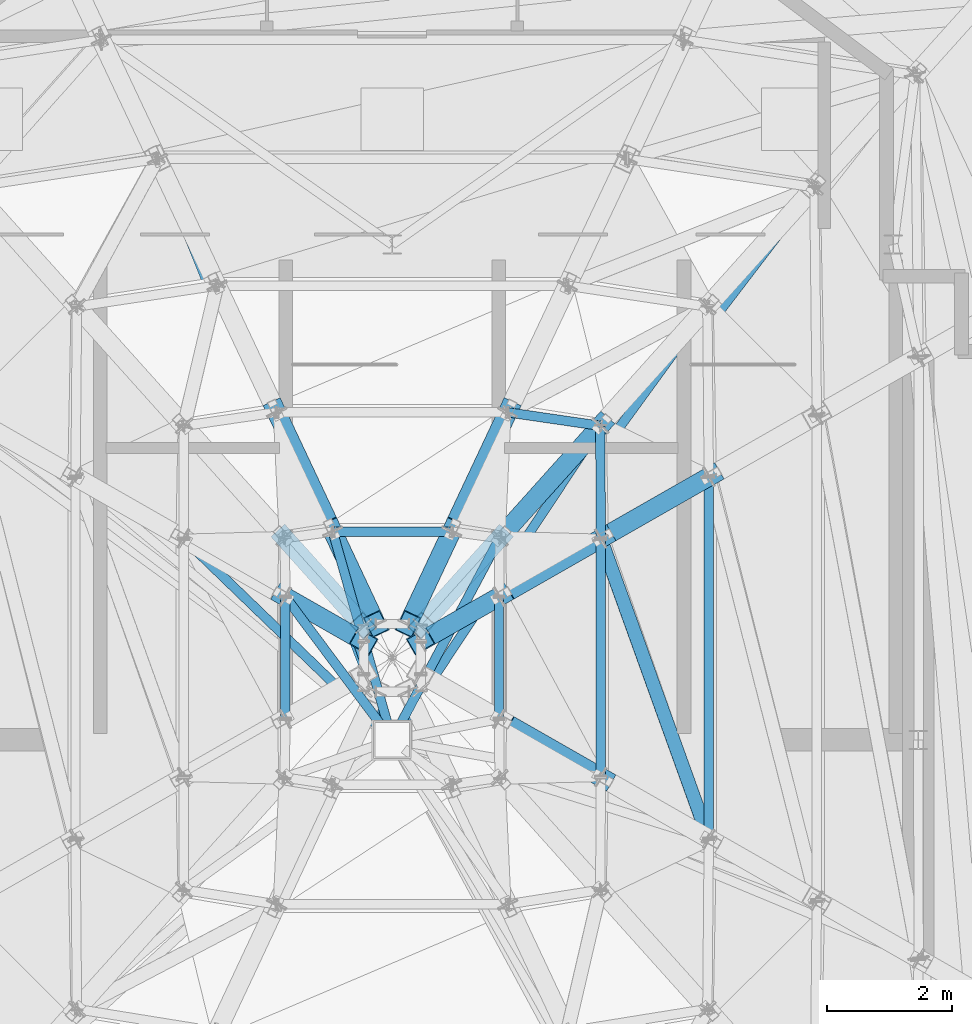
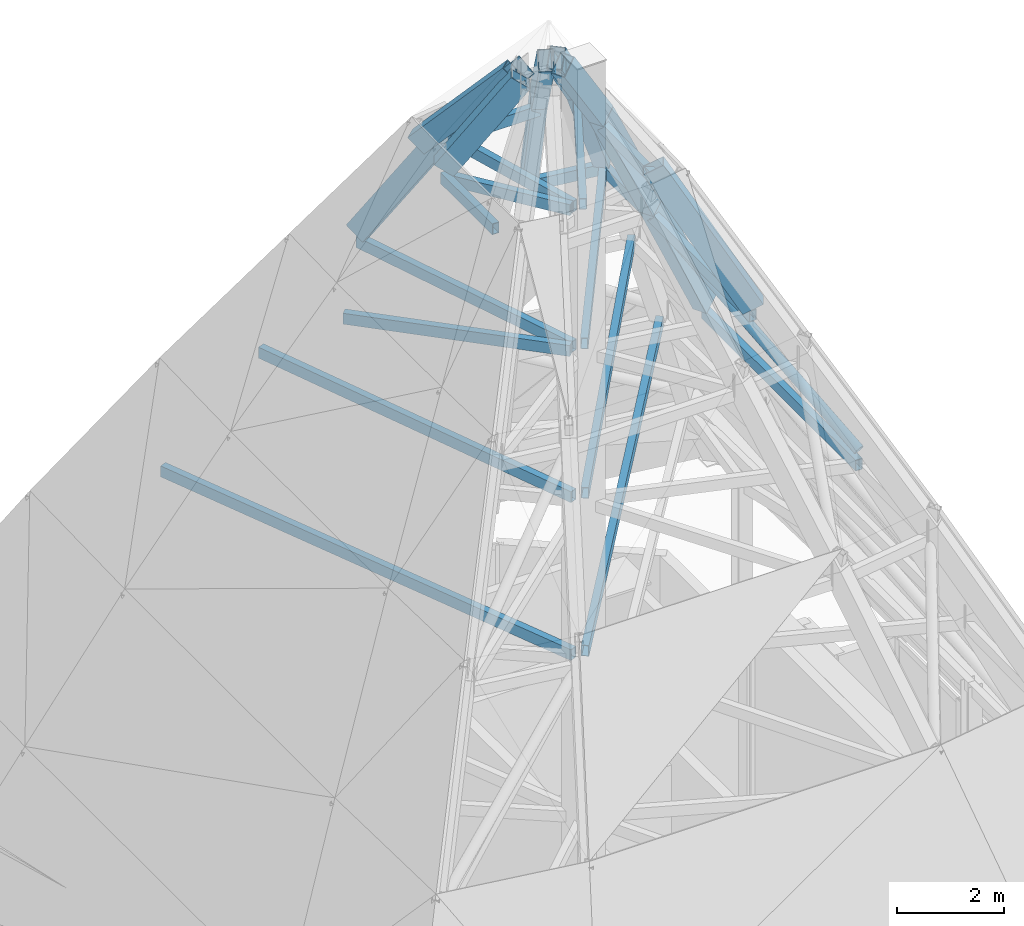
# One storey, part 6 of 30: 30 members.
"""IFC4 building model written with IfcOpenShell, lengths in metres."""

import ifcopenshell
import ifcopenshell.guid

model = None  # the IFC model being written
_history = None  # IfcOwnerHistory: only IFC2X3 demands one
_inside = {}  # id of a spatial element -> (the spatial element, [elements in it])
_under = {}  # id of a project, library or spatial element -> (it, [spatial elements below it])
_declared = {}  # id of a project -> (the project, [libraries it declares])
_typed = {}  # id of a type object -> (the type object, [elements of that type])
_made_of = {}  # id of a material, layer set ... -> (it, [elements and type objects made of it])


def new_model(schema):
    """Start an empty IFC model of exactly this schema.

    Asked for "IFC4X3", IfcOpenShell would pick the latest addendum, in which some entities
    have other attributes; the version numbers below select the first issue.
    IFC2X3 requires an IfcOwnerHistory on every rooted entity: one is made here for all.
    """
    global model, _history
    if schema == "IFC4X3":
        model = ifcopenshell.file(schema_version=(4, 3, 0, 0))
    else:
        model = ifcopenshell.file(schema=schema)
    _inside.clear()
    _under.clear()
    _declared.clear()
    _typed.clear()
    _made_of.clear()
    _history = None
    if model.schema == "IFC2X3":
        org = make("IfcOrganization", Name="unknown")
        user = make(
            "IfcPersonAndOrganization",
            ThePerson=make("IfcPerson", FamilyName="unknown"),
            TheOrganization=org,
        )
        app = make(
            "IfcApplication",
            ApplicationDeveloper=org,
            Version="unknown",
            ApplicationFullName="unknown",
            ApplicationIdentifier="unknown",
        )
        _history = make(
            "IfcOwnerHistory",
            OwningUser=user,
            OwningApplication=app,
            ChangeAction="ADDED",
            CreationDate=0,
        )
    return model


def make(cls, **values):
    """One entity of the class cls with the attributes given. An attribute that is None is left unset."""
    return model.create_entity(
        cls, **{name: value for name, value in values.items() if value is not None}
    )


def rooted(cls, **values):
    """An entity with a GlobalId (a new one), such as an element, a storey or a relation."""
    return make(cls, GlobalId=ifcopenshell.guid.new(), OwnerHistory=_history, **values)


def si_unit(unit_type, name, prefix=None):
    """IfcSIUnit, for example si_unit("LENGTHUNIT", "METRE", prefix="MILLI")."""
    return make("IfcSIUnit", UnitType=unit_type, Prefix=prefix, Name=name)


def assignment(units):
    """IfcUnitAssignment: the units of a project."""
    return None if units is None else make("IfcUnitAssignment", Units=units)


def point(xyz):
    """IfcCartesianPoint."""
    return None if xyz is None else make("IfcCartesianPoint", Coordinates=xyz)


def direction(xyz):
    """IfcDirection."""
    return None if xyz is None else make("IfcDirection", DirectionRatios=xyz)


def frame(location, z_axis=None, x_axis=None):
    """IfcAxis2Placement3D, a coordinate frame: its origin and axes. An axis left out is left unset."""
    return make(
        "IfcAxis2Placement3D",
        Location=point(location),
        Axis=direction(z_axis),
        RefDirection=direction(x_axis),
    )


def frame_2d(location, x_axis=None):
    """IfcAxis2Placement2D, a coordinate frame in the plane: its origin and x axis."""
    return make(
        "IfcAxis2Placement2D", Location=point(location), RefDirection=direction(x_axis)
    )


def origin():
    """The frame at (0, 0, 0) with its axes left unset."""
    return frame((0.0, 0.0, 0.0))


def origin_2d():
    """The frame at (0, 0) in the plane with its x axis left unset."""
    return frame_2d((0.0, 0.0))


def place(relative_to, where):
    """IfcLocalPlacement: puts the frame where relative to a parent placement (None: the world)."""
    return make(
        "IfcLocalPlacement", PlacementRelTo=relative_to, RelativePlacement=where
    )


def context(
    kind, dimensions, precision=None, world=None, true_north=None, identifier=None
):
    """IfcGeometricRepresentationContext, for example the 3D "Model" context."""
    return make(
        "IfcGeometricRepresentationContext",
        ContextIdentifier=identifier,
        ContextType=kind,
        CoordinateSpaceDimension=dimensions,
        Precision=precision,
        WorldCoordinateSystem=world,
        TrueNorth=true_north,
    )


def subcontext(parent, identifier, kind, view, scale=None):
    """IfcGeometricRepresentationSubContext, for example "Body" below "Model"."""
    return make(
        "IfcGeometricRepresentationSubContext",
        ContextIdentifier=identifier,
        ContextType=kind,
        ParentContext=parent,
        TargetScale=scale,
        TargetView=view,
    )


def project(units=None, contexts=None):
    """IfcProject with its units and contexts."""
    return rooted(
        "IfcProject",
        Name="project",
        RepresentationContexts=contexts,
        UnitsInContext=assignment(units),
    )


def spatial(cls, under=None, at=None, **own):
    """A site, building, storey or space (cls), placed at a placement, below another one or the project."""
    s = rooted(cls, ObjectPlacement=at, **own)
    if under is not None:
        _under.setdefault(under.id(), (under, []))[1].append(s)
    return s


def profile(cls, at=None, kind="AREA", **sizes):
    """A parametric profile (cls). Its sizes go by their IFC names, for example OverallWidth=200.0."""
    return make(cls, ProfileType=kind, Position=at, **sizes)


def hollow_rectangle(**sizes):
    """IfcRectangleHollowProfileDef."""
    return profile("IfcRectangleHollowProfileDef", **sizes)


def hollow_circle(**sizes):
    """IfcCircleHollowProfileDef."""
    return profile("IfcCircleHollowProfileDef", **sizes)


def extrude(swept, where, along, depth):
    """IfcExtrudedAreaSolid: the profile swept, set in the frame where, extruded along a direction by depth."""
    return make(
        "IfcExtrudedAreaSolid",
        SweptArea=swept,
        Position=where,
        ExtrudedDirection=direction(along),
        Depth=depth,
    )


def shape(context_of_items, identifier, shape_type, items):
    """IfcShapeRepresentation: the items that make up one representation, for example the "Body"."""
    return make(
        "IfcShapeRepresentation",
        ContextOfItems=context_of_items,
        RepresentationIdentifier=identifier,
        RepresentationType=shape_type,
        Items=items,
    )


def material(Name=None, Category=None):
    """IfcMaterial."""
    return make("IfcMaterial", Name=Name, Category=Category)


def material_profile(
    of_material, cross_section, Name=None, Category=None, Priority=None
):
    """IfcMaterialProfile: a cross section and its material."""
    return make(
        "IfcMaterialProfile",
        Name=Name,
        Material=of_material,
        Profile=cross_section,
        Priority=Priority,
        Category=Category,
    )


def profile_set(profiles, Name=None, composite=None):
    """IfcMaterialProfileSet."""
    return make(
        "IfcMaterialProfileSet",
        Name=Name,
        MaterialProfiles=profiles,
        CompositeProfile=composite,
    )


def made_of(thing, what):
    """Note that an element or type object is made of a material, layer set ...; save() writes the relation."""
    if what is not None:
        _made_of.setdefault(what.id(), (what, []))[1].append(thing)
    return thing


def type_object(cls, material=None, **own):
    """A type object (cls), such as IfcWallType, which elements share."""
    return made_of(rooted(cls, **own), material)


def element(
    cls,
    number,
    at=None,
    inside=None,
    cuts=None,
    type_object=None,
    material=None,
    context=None,
    identifier="Body",
    shape_type=None,
    held_by="IfcProductDefinitionShape",
    body=None,
    shapes=None,
    **own,
):
    """One element of the class cls, such as IfcWall. Its Tag is "e" and its number.

    at: its placement. inside: the storey or other place that contains it. cuts: it is an
    opening in that element (IfcRelVoidsElement). A single representation is given by context,
    identifier, shape_type and body (its items); several are given by shapes. held_by: the class
    of the entity that holds the representations. save() writes the other relations.
    """
    e = rooted(cls, Tag="e%d" % number, ObjectPlacement=at, **own)
    if body is not None:
        shapes = [shape(context, identifier, shape_type, body)]
    if shapes is not None:
        e.Representation = make(held_by, Representations=shapes)
    if inside is not None:
        _inside.setdefault(inside.id(), (inside, []))[1].append(e)
    if cuts is not None:
        rooted(
            "IfcRelVoidsElement", RelatingBuildingElement=cuts, RelatedOpeningElement=e
        )
    if type_object is not None:
        _typed.setdefault(type_object.id(), (type_object, []))[1].append(e)
    return made_of(e, material)


def aggregate(whole, parts):
    """IfcRelAggregates: a whole, such as a stair, and the parts it consists of."""
    return rooted("IfcRelAggregates", RelatingObject=whole, RelatedObjects=parts)


def save(model, path):
    """Write the relations noted so far, then the file.

    IfcRelAggregates (storeys below a building ...), IfcRelContainedInSpatialStructure (elements
    in a storey), IfcRelDefinesByType, IfcRelAssociatesMaterial and IfcRelDeclares: one each for
    every whole, place, type object, material and project.
    """
    for whole, parts in _under.values():
        aggregate(whole, parts)
    for where, things in _inside.values():
        rooted(
            "IfcRelContainedInSpatialStructure",
            RelatedElements=things,
            RelatingStructure=where,
        )
    for kind, things in _typed.values():
        rooted("IfcRelDefinesByType", RelatedObjects=things, RelatingType=kind)
    for what, things in _made_of.values():
        rooted("IfcRelAssociatesMaterial", RelatedObjects=things, RelatingMaterial=what)
    for by, libraries in _declared.values():
        rooted("IfcRelDeclares", RelatingContext=by, RelatedDefinitions=libraries)
    model.write(path)


model = new_model("IFC4")

# Units and contexts
model_context = context("Model", 3, precision=1e-05, world=origin(), true_north=direction((0.0, 1.0)))
body_context = subcontext(model_context, "Body", "Model", "MODEL_VIEW")
ifc_project = project(units=[si_unit("LENGTHUNIT", "METRE"), si_unit("AREAUNIT", "SQUARE_METRE"), si_unit("VOLUMEUNIT", "CUBIC_METRE"), si_unit("PLANEANGLEUNIT", "RADIAN"), si_unit("MASSUNIT", "GRAM", prefix="KILO")], contexts=[model_context])

# Site, building, storey
site_placement = place(None, origin())
site = spatial("IfcSite", under=ifc_project, at=site_placement, CompositionType="ELEMENT")
building_placement = place(site_placement, origin())
building = spatial("IfcBuilding", under=site, at=building_placement, Name="Haolan Belvedere Tower", CompositionType="ELEMENT")
storey_placement = place(building_placement, frame((0.0, 0.0, 333.0)))
storey = spatial("IfcBuildingStorey", under=building, at=storey_placement, Name="L83", CompositionType="ELEMENT", Elevation=333.0)

# Members
ifc_material = material(Name="Steel Q355B", Category="steel")
ifc_material_profile_1 = material_profile(ifc_material, hollow_rectangle(XDim=0.300048828125, YDim=0.449951171875, WallThickness=0.01611328125, at=origin_2d()), Name="Steel Q355B")
ifc_profile_set_1 = profile_set([ifc_material_profile_1], Name="Steel Q355B")
member_type_1 = type_object("IfcMemberType", Name="MEM-BOX450x300x16", PredefinedType="RAFTER", material=ifc_profile_set_1)
member_1_placement = place(storey_placement, frame((43.454833984375, 39.488525390625, 15.0419921875), z_axis=(-0.436015098738, -0.249195554522, 0.864749911407), x_axis=(0.496205088775, -0.868205338543, 0.0)))
element("IfcMember", 1, at=member_1_placement, inside=storey, type_object=member_type_1, Name="Crown frame sloped hip rafter T4-06", PredefinedType="RAFTER", context=body_context, shape_type="SweptSolid", body=[
    extrude(hollow_rectangle(XDim=0.300048828125, YDim=0.449951171875, WallThickness=0.01611328125, at=origin_2d()), origin(), (0.0, 0.0, 1.0), 3.95703125),
])
for number, where, z_axis, x_axis, name in (
    (2, (41.7294921875, 34.697509765625, 18.4638671875), (-0.438751923592, 0.250705962353, 0.862927152189), (-0.496124881772, -0.868251174308, 0.0), "Crown frame sloped hip rafter T5-05"),
    (3, (41.7294921875, 38.50244140625, 18.4638671875), (-0.438751923592, -0.250705962353, 0.862927152189), (0.496124881772, -0.868251174308, 0.0), "Crown frame sloped hip rafter T5-06"),
):
    element("IfcMember", number, at=place(storey_placement, frame(where, z_axis=z_axis, x_axis=x_axis)), inside=storey, type_object=member_type_1, Name=name, PredefinedType="RAFTER", context=body_context, shape_type="SweptSolid", body=[
        extrude(hollow_rectangle(XDim=0.300048828125, YDim=0.449951171875, WallThickness=0.01611328125, at=origin_2d()), origin(), (0.0, 0.0, 1.0), 3.701416015625),
    ])
member_2_placement = place(storey_placement, frame((41.723388671875, 40.3037109375, 18.4638671875), z_axis=(-0.401992193484, -0.448014379012, 0.798552060029), x_axis=(0.744301734368, -0.66784349081, 0.0)))
element("IfcMember", 4, at=member_2_placement, inside=storey, type_object=member_type_1, Name="Crown frame sloped hip rafter T5-07", PredefinedType="RAFTER", context=body_context, shape_type="SweptSolid", body=[
    extrude(hollow_rectangle(XDim=0.300048828125, YDim=0.449951171875, WallThickness=0.01611328125, at=origin_2d()), origin(), (0.0, 0.0, 1.0), 3.999755859375),
])
for number, where, z_axis, x_axis, name in (
    (5, (40.244384765625, 40.519287109375, 18.4638671875), (-0.234248759957, -0.497794571909, 0.835061723848), (0.904823960736, -0.425785861764, 0.0), "Crown frame sloped hip rafter T5-08"),
    (6, (36.5556640625, 40.519287109375, 18.4638671875), (0.234248759957, -0.497794571909, 0.835061723848), (0.904823960736, 0.425785861764, 0.0), "Crown frame sloped hip rafter T5-09"),
):
    element("IfcMember", number, at=place(storey_placement, frame(where, z_axis=z_axis, x_axis=x_axis)), inside=storey, type_object=member_type_1, Name=name, PredefinedType="RAFTER", context=body_context, shape_type="SweptSolid", body=[
        extrude(hollow_rectangle(XDim=0.300048828125, YDim=0.449951171875, WallThickness=0.01611328125, at=origin_2d()), origin(), (0.0, 0.0, 1.0), 3.824951171875),
    ])
member_3_placement = place(storey_placement, frame((40.10546875, 37.574462890625, 21.657958984375), z_axis=(-0.507446198604, -0.289997573655, 0.811418364838), x_axis=(0.496175461691, -0.868222270629, 0.0)))
element("IfcMember", 7, at=member_3_placement, inside=storey, type_object=member_type_1, Name="Crown frame sloped hip rafter T6-06", PredefinedType="RAFTER", context=body_context, shape_type="SweptSolid", body=[
    extrude(hollow_rectangle(XDim=0.300048828125, YDim=0.449951171875, WallThickness=0.01611328125, at=origin_2d()), origin(), (0.0, 0.0, 1.0), 2.46337890625),
])
member_4_placement = place(storey_placement, frame((40.115478515625, 38.51171875, 21.657958984375), z_axis=(-0.457115213578, -0.509390029547, 0.72908674334), x_axis=(0.744263842959, -0.667885717817, 0.0)))
element("IfcMember", 8, at=member_4_placement, inside=storey, type_object=member_type_1, Name="Crown frame sloped hip rafter T6-07", PredefinedType="RAFTER", context=body_context, shape_type="SweptSolid", body=[
    extrude(hollow_rectangle(XDim=0.300048828125, YDim=0.449951171875, WallThickness=0.01611328125, at=origin_2d()), origin(), (0.0, 0.0, 1.0), 2.741455078125),
])
for number, where, z_axis, x_axis, name in (
    (9, (39.348388671875, 38.615234375, 21.657958984375), (-0.269042027698, -0.571785308689, 0.775034159311), (0.90483907163, -0.425753748605, 0.0), "Crown frame sloped hip rafter T6-08"),
    (10, (37.45166015625, 38.615234375, 21.657958984375), (0.269042027698, -0.571785308689, 0.775034159311), (0.90483907163, 0.425753748605, 0.0), "Crown frame sloped hip rafter T6-09"),
):
    element("IfcMember", number, at=place(storey_placement, frame(where, z_axis=z_axis, x_axis=x_axis)), inside=storey, type_object=member_type_1, Name=name, PredefinedType="RAFTER", context=body_context, shape_type="SweptSolid", body=[
        extrude(hollow_rectangle(XDim=0.300048828125, YDim=0.449951171875, WallThickness=0.01611328125, at=origin_2d()), origin(), (0.0, 0.0, 1.0), 2.578857421875),
    ])
member_5_placement = place(storey_placement, frame((36.6845703125, 38.51171875, 21.657958984375), z_axis=(0.457044763335, -0.509410765058, 0.729116421946), x_axis=(0.744328523594, 0.667813633407, 0.0)))
element("IfcMember", 11, at=member_5_placement, inside=storey, type_object=member_type_1, Name="Crown frame sloped hip rafter T6-10", PredefinedType="RAFTER", context=body_context, shape_type="SweptSolid", body=[
    extrude(hollow_rectangle(XDim=0.300048828125, YDim=0.449951171875, WallThickness=0.01611328125, at=origin_2d()), origin(), (0.0, 0.0, 1.0), 2.741455078125),
])
member_6_placement = place(storey_placement, frame((36.694580078125, 37.574462890625, 21.657958984375), z_axis=(0.507446198604, -0.289997573655, 0.811418364838), x_axis=(0.496175461691, 0.868222270629, 0.0)))
element("IfcMember", 12, at=member_6_placement, inside=storey, type_object=member_type_1, Name="Crown frame sloped hip rafter T6-11", PredefinedType="RAFTER", context=body_context, shape_type="SweptSolid", body=[
    extrude(hollow_rectangle(XDim=0.300048828125, YDim=0.449951171875, WallThickness=0.01611328125, at=origin_2d()), origin(), (0.0, 0.0, 1.0), 2.46337890625),
])
ifc_material_profile_2 = material_profile(ifc_material, hollow_circle(Radius=0.109619140625, WallThickness=0.010009765625, at=origin_2d()), Name="Steel Q355B")
ifc_profile_set_2 = profile_set([ifc_material_profile_2], Name="Steel Q355B")
member_type_2 = type_object("IfcMemberType", Name="MEM-CHS219x10", PredefinedType="STRUT", material=ifc_profile_set_2)
member_7_placement = place(storey_placement, frame((43.454833984375, 33.71142578125, 15.14208984375), z_axis=(-0.288858017372, 0.802115428456, 0.522658478581), x_axis=(-0.940851346738, -0.33881963246, 0.0)))
element("IfcMember", 13, at=member_7_placement, inside=storey, type_object=member_type_2, Name="Crown frame wind brace strut T4-05", PredefinedType="STRUT", context=body_context, shape_type="SweptSolid", body=[
    extrude(hollow_circle(Radius=0.109619140625, WallThickness=0.010009765625, at=origin_2d()), origin(), (0.0, 0.0, 1.0), 5.972900390625),
])
ifc_material_profile_3 = material_profile(ifc_material, hollow_rectangle(XDim=0.14990234375, YDim=0.25, WallThickness=0.010009765625, at=origin_2d()), Name="Steel Q355B")
ifc_profile_set_3 = profile_set([ifc_material_profile_3], Name="Steel Q355B")
member_type_3 = type_object("IfcMemberType", Name="MEM-RHS250x150x10", PredefinedType="PURLIN", material=ifc_profile_set_3)
member_8_placement = place(storey_placement, frame((38.545654296875, 35.480712890625, 11.1904296875), z_axis=(0.607128863257, 0.794603387484, 0.0), x_axis=(-0.794603387484, 0.607128863257, 0.0)))
element("IfcMember", 14, at=member_8_placement, inside=storey, type_object=member_type_3, Name="Crown frame radial tie purlin T2-07", PredefinedType="PURLIN", context=body_context, shape_type="SweptSolid", body=[
    extrude(hollow_rectangle(XDim=0.14990234375, YDim=0.25, WallThickness=0.010009765625, at=origin_2d()), origin(), (0.0, 0.0, 1.0), 10.862060546875),
])
member_9_placement = place(storey_placement, frame((38.31005859375, 35.512451171875, 11.1904296875), z_axis=(-0.374686286711, 0.927151652402, 0.0), x_axis=(-0.927151652402, -0.374686286711, 0.0)))
element("IfcMember", 15, at=member_9_placement, inside=storey, type_object=member_type_3, Name="Crown frame radial tie purlin T2-09", PredefinedType="PURLIN", context=body_context, shape_type="SweptSolid", body=[
    extrude(hollow_rectangle(XDim=0.14990234375, YDim=0.25, WallThickness=0.010009765625, at=origin_2d()), origin(), (0.0, 0.0, 1.0), 9.763916015625),
])
member_10_placement = place(storey_placement, frame((38.541259765625, 35.484130859375, 14.802001953125), z_axis=(0.588227567986, 0.808695448399, 0.0), x_axis=(-0.808695448399, 0.588227567986, 0.0)))
element("IfcMember", 16, at=member_10_placement, inside=storey, type_object=member_type_3, Name="Crown frame radial tie purlin T3-07", PredefinedType="PURLIN", context=body_context, shape_type="SweptSolid", body=[
    extrude(hollow_rectangle(XDim=0.14990234375, YDim=0.25, WallThickness=0.010009765625, at=origin_2d()), origin(), (0.0, 0.0, 1.0), 8.314208984375),
])
member_11_placement = place(storey_placement, frame((38.313720703125, 35.513916015625, 14.802001953125), z_axis=(-0.359789039707, 0.933033679406, 0.0), x_axis=(-0.933033679406, -0.359789039707, 0.0)))
element("IfcMember", 17, at=member_11_placement, inside=storey, type_object=member_type_3, Name="Crown frame radial tie purlin T3-09", PredefinedType="PURLIN", context=body_context, shape_type="SweptSolid", body=[
    extrude(hollow_rectangle(XDim=0.14990234375, YDim=0.25, WallThickness=0.010009765625, at=origin_2d()), origin(), (0.0, 0.0, 1.0), 7.53271484375),
])
member_12_placement = place(storey_placement, frame((38.53271484375, 35.489990234375, 18.223876953125), z_axis=(0.552483705079, 0.833523698297, 0.0), x_axis=(-0.833523698297, 0.552483705079, 0.0)))
element("IfcMember", 18, at=member_12_placement, inside=storey, type_object=member_type_3, Name="Crown frame radial tie purlin T4-07", PredefinedType="PURLIN", context=body_context, shape_type="SweptSolid", body=[
    extrude(hollow_rectangle(XDim=0.14990234375, YDim=0.25, WallThickness=0.010009765625, at=origin_2d()), origin(), (0.0, 0.0, 1.0), 5.775146484375),
])
member_13_placement = place(storey_placement, frame((38.3203125, 35.516357421875, 18.223876953125), z_axis=(-0.332637161741, 0.943054886329, 0.0), x_axis=(-0.943054886329, -0.332637161741, 0.0)))
element("IfcMember", 19, at=member_13_placement, inside=storey, type_object=member_type_3, Name="Crown frame radial tie purlin T4-09", PredefinedType="PURLIN", context=body_context, shape_type="SweptSolid", body=[
    extrude(hollow_rectangle(XDim=0.14990234375, YDim=0.25, WallThickness=0.010009765625, at=origin_2d()), origin(), (0.0, 0.0, 1.0), 5.304931640625),
])
member_14_placement = place(storey_placement, frame((38.227294921875, 35.45654296875, 18.223876953125), z_axis=(-0.719627744049, 0.694360072293, 0.0), x_axis=(-0.694360072293, -0.719627744049, 0.0)))
element("IfcMember", 20, at=member_14_placement, inside=storey, type_object=member_type_3, Name="Crown frame radial tie purlin T4-11", PredefinedType="PURLIN", context=body_context, shape_type="SweptSolid", body=[
    extrude(hollow_rectangle(XDim=0.14990234375, YDim=0.25, WallThickness=0.010009765625, at=origin_2d()), origin(), (0.0, 0.0, 1.0), 4.38671875),
])
member_15_placement = place(storey_placement, frame((38.5126953125, 35.501708984375, 21.41796875), z_axis=(0.47000474029, 0.88266389079, 0.0), x_axis=(-0.88266389079, 0.47000474029, 0.0)))
element("IfcMember", 21, at=member_15_placement, inside=storey, type_object=member_type_3, Name="Crown frame radial tie purlin T5-07", PredefinedType="PURLIN", context=body_context, shape_type="SweptSolid", body=[
    extrude(hollow_rectangle(XDim=0.14990234375, YDim=0.25, WallThickness=0.010009765625, at=origin_2d()), origin(), (0.0, 0.0, 1.0), 3.41015625),
])
member_16_placement = place(storey_placement, frame((38.334228515625, 35.520751953125, 21.41796875), z_axis=(-0.274270172015, 0.961652677812, 0.0), x_axis=(-0.961652677812, -0.274270172015, 0.0)))
element("IfcMember", 22, at=member_16_placement, inside=storey, type_object=member_type_3, Name="Crown frame radial tie purlin T5-09", PredefinedType="PURLIN", context=body_context, shape_type="SweptSolid", body=[
    extrude(hollow_rectangle(XDim=0.14990234375, YDim=0.25, WallThickness=0.010009765625, at=origin_2d()), origin(), (0.0, 0.0, 1.0), 3.2177734375),
])
member_17_placement = place(storey_placement, frame((38.25634765625, 35.482421875, 21.41796875), z_axis=(-0.598217980803, 0.8013334184, 0.0), x_axis=(-0.8013334184, -0.598217980803, 0.0)))
element("IfcMember", 23, at=member_17_placement, inside=storey, type_object=member_type_3, Name="Crown frame radial tie purlin T5-11", PredefinedType="PURLIN", context=body_context, shape_type="SweptSolid", body=[
    extrude(hollow_rectangle(XDim=0.14990234375, YDim=0.25, WallThickness=0.010009765625, at=origin_2d()), origin(), (0.0, 0.0, 1.0), 2.610595703125),
])
member_18_placement = place(storey_placement, frame((43.454833984375, 33.71142578125, 14.802001953125), z_axis=(0.0, 1.0, 0.0), x_axis=(-1.0, 0.0, 0.0)))
element("IfcMember", 24, at=member_18_placement, inside=storey, type_object=member_type_3, Name="Crown frame horizontal ring purlin T3-05", PredefinedType="PURLIN", context=body_context, shape_type="SweptSolid", body=[
    extrude(hollow_rectangle(XDim=0.14990234375, YDim=0.25, WallThickness=0.010009765625, at=origin_2d()), origin(), (0.0, 0.0, 1.0), 5.777099609375),
])
member_19_placement = place(storey_placement, frame((41.7294921875, 34.697509765625, 18.223876953125), z_axis=(0.0, 1.0, 0.0), x_axis=(-1.0, 0.0, 0.0)))
element("IfcMember", 25, at=member_19_placement, inside=storey, type_object=member_type_3, Name="Crown frame horizontal ring purlin T4-05", PredefinedType="PURLIN", context=body_context, shape_type="SweptSolid", body=[
    extrude(hollow_rectangle(XDim=0.14990234375, YDim=0.25, WallThickness=0.010009765625, at=origin_2d()), origin(), (0.0, 0.0, 1.0), 3.804931640625),
])
member_20_placement = place(storey_placement, frame((41.7294921875, 38.50244140625, 18.223876953125), z_axis=(-0.003388432703, 0.999994259245, 0.0), x_axis=(-0.999994259245, -0.003388432703, 0.0)))
element("IfcMember", 26, at=member_20_placement, inside=storey, type_object=member_type_3, Name="Crown frame horizontal ring purlin T4-06", PredefinedType="PURLIN", context=body_context, shape_type="SweptSolid", body=[
    extrude(hollow_rectangle(XDim=0.14990234375, YDim=0.25, WallThickness=0.010009765625, at=origin_2d()), origin(), (0.0, 0.0, 1.0), 1.80126953125),
])
member_21_placement = place(storey_placement, frame((41.723388671875, 40.3037109375, 18.223876953125), z_axis=(-0.989543669007, 0.144233585298, 0.0), x_axis=(-0.144233585298, -0.989543669007, 0.0)))
element("IfcMember", 27, at=member_21_placement, inside=storey, type_object=member_type_3, Name="Crown frame horizontal ring purlin T4-07", PredefinedType="PURLIN", context=body_context, shape_type="SweptSolid", body=[
    extrude(hollow_rectangle(XDim=0.14990234375, YDim=0.25, WallThickness=0.010009765625, at=origin_2d()), origin(), (0.0, 0.0, 1.0), 1.49462890625),
])
member_22_placement = place(storey_placement, frame((40.10546875, 35.62548828125, 21.41796875), z_axis=(0.0, 1.0, 0.0), x_axis=(-1.0, 0.0, 0.0)))
element("IfcMember", 28, at=member_22_placement, inside=storey, type_object=member_type_3, Name="Crown frame horizontal ring purlin T5-05", PredefinedType="PURLIN", context=body_context, shape_type="SweptSolid", body=[
    extrude(hollow_rectangle(XDim=0.14990234375, YDim=0.25, WallThickness=0.010009765625, at=origin_2d()), origin(), (0.0, 0.0, 1.0), 1.948974609375),
])
member_23_placement = place(storey_placement, frame((39.348388671875, 38.615234375, 21.41796875), z_axis=(-1.0, 0.0, 0.0), x_axis=(0.0, -1.0, 0.0)))
element("IfcMember", 29, at=member_23_placement, inside=storey, type_object=member_type_3, Name="Crown frame horizontal ring purlin T5-08", PredefinedType="PURLIN", context=body_context, shape_type="SweptSolid", body=[
    extrude(hollow_rectangle(XDim=0.14990234375, YDim=0.25, WallThickness=0.010009765625, at=origin_2d()), origin(), (0.0, 0.0, 1.0), 1.896728515625),
])
member_24_placement = place(storey_placement, frame((36.694580078125, 37.574462890625, 21.41796875), z_axis=(0.0, -1.0, 0.0), x_axis=(1.0, 0.0, 0.0)))
element("IfcMember", 30, at=member_24_placement, inside=storey, type_object=member_type_3, Name="Crown frame horizontal ring purlin T5-11", PredefinedType="PURLIN", context=body_context, shape_type="SweptSolid", body=[
    extrude(hollow_rectangle(XDim=0.14990234375, YDim=0.25, WallThickness=0.010009765625, at=origin_2d()), origin(), (0.0, 0.0, 1.0), 1.948974609375),
])

save(model, "model.ifc")
